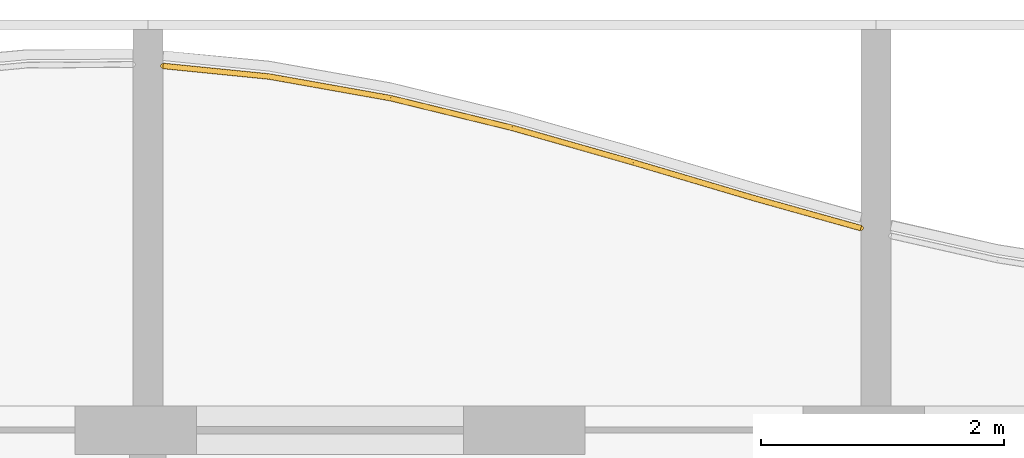
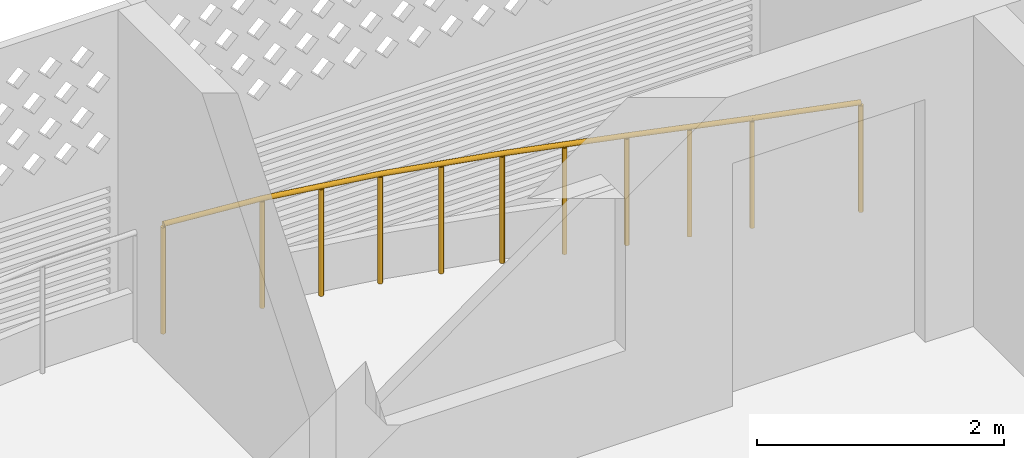
# One storey, part 30 of 33: 1 railing.
"""IFC4 building model written with IfcOpenShell, lengths in metres."""

from ifc_helpers import new_model, si_unit, direction, frame, origin, origin_2d, place, context, subcontext, project, spatial, circle, extrude, material, type_object, element, save


model = new_model("IFC4")

# Units and contexts
model_context = context("Model", 3, precision=1e-05, world=origin(), true_north=direction((0.0, 1.0)))
body_context = subcontext(model_context, "Body", "Model", "MODEL_VIEW")
ifc_project = project(units=[si_unit("LENGTHUNIT", "METRE"), si_unit("AREAUNIT", "SQUARE_METRE"), si_unit("VOLUMEUNIT", "CUBIC_METRE"), si_unit("PLANEANGLEUNIT", "RADIAN"), si_unit("MASSUNIT", "GRAM", prefix="KILO")], contexts=[model_context])

# Site, building, storey
site_placement = place(None, origin())
site = spatial("IfcSite", under=ifc_project, at=site_placement, CompositionType="ELEMENT")
building_placement = place(site_placement, origin())
building = spatial("IfcBuilding", under=site, at=building_placement, Name="Poui Terraces", CompositionType="ELEMENT")
storey_placement = place(building_placement, frame((0.0, 0.0, 132.300048828125)))
storey = spatial("IfcBuildingStorey", under=building, at=storey_placement, Name="L36", CompositionType="ELEMENT", Elevation=132.300048828125)

# Railing
ifc_material = material(Name="Painted steel fretwork", Category="steel")
railing_type = type_object("IfcRailingType", Name="BALCONY GUARD 1100", PredefinedType="GUARDRAIL", material=ifc_material)
railing_placement = place(storey_placement, frame((72.125, 45.4013671875, 0.0)))
element("IfcRailing", 1, at=railing_placement, inside=storey, type_object=railing_type, Name="BALCONY GUARD", PredefinedType="GUARDRAIL", context=body_context, shape_type="SweptSolid", body=[
    extrude(circle(Radius=0.02392578125, at=origin_2d()), frame((0.0, 0.0, 1.076171875), z_axis=(0.995048179628, -0.099393763478, 0.0), x_axis=(0.099393763478, 0.995048179628, 0.0)), (0.0, 0.0, 1.0), 0.87939453125),
    extrude(circle(Radius=0.02392578125, at=origin_2d()), frame((0.875, -0.08740234375, 1.076171875), z_axis=(0.984486939112, -0.175457877332, 0.0), x_axis=(0.175457877332, 0.984486939112, 0.0)), (0.0, 0.0, 1.0), 1.015869140625),
    extrude(circle(Radius=0.02392578125, at=origin_2d()), frame((1.875, -0.265625, 1.076171875), z_axis=(0.971467046504, -0.2371745719, 0.0), x_axis=(0.2371745719, 0.971467046504, 0.0)), (0.0, 0.0, 1.0), 1.029296875),
    extrude(circle(Radius=0.02392578125, at=origin_2d()), frame((2.875, -0.509765625, 1.076171875), z_axis=(0.961665574586, -0.274224949003, 0.0), x_axis=(0.274224949003, 0.961665574586, 0.0)), (0.0, 0.0, 1.0), 1.039794921875),
    extrude(circle(Radius=0.02392578125, at=origin_2d()), frame((3.875, -0.794921875, 1.076171875), z_axis=(0.958774495191, -0.284168026651, 0.0), x_axis=(0.284168026651, 0.958774495191, 0.0)), (0.0, 0.0, 1.0), 1.04296875),
    extrude(circle(Radius=0.02392578125, at=origin_2d()), frame((4.875, -1.09130859375, 1.076171875), z_axis=(0.963000288712, -0.269500359815, 0.0), x_axis=(0.269500359815, 0.963000288712, 0.0)), (0.0, 0.0, 1.0), 0.90869140625),
    extrude(circle(Radius=0.02099609375, at=origin_2d()), origin(), (0.0, 0.0, 1.0), 1.052001953125),
    extrude(circle(Radius=0.02099609375, at=origin_2d()), frame((0.875, -0.08740234375, 0.0)), (0.0, 0.0, 1.0), 1.052001953125),
    extrude(circle(Radius=0.02099609375, at=origin_2d()), frame((1.375, -0.176513671875, 0.0)), (0.0, 0.0, 1.0), 1.052001953125),
    extrude(circle(Radius=0.02099609375, at=origin_2d()), frame((1.875, -0.265625, 0.0)), (0.0, 0.0, 1.0), 1.052001953125),
    extrude(circle(Radius=0.02099609375, at=origin_2d()), frame((2.375, -0.3876953125, 0.0)), (0.0, 0.0, 1.0), 1.052001953125),
    extrude(circle(Radius=0.02099609375, at=origin_2d()), frame((2.875, -0.509765625, 0.0)), (0.0, 0.0, 1.0), 1.052001953125),
    extrude(circle(Radius=0.02099609375, at=origin_2d()), frame((3.375, -0.65234375, 0.0)), (0.0, 0.0, 1.0), 1.052001953125),
    extrude(circle(Radius=0.02099609375, at=origin_2d()), frame((3.875, -0.794921875, 0.0)), (0.0, 0.0, 1.0), 1.052001953125),
    extrude(circle(Radius=0.02099609375, at=origin_2d()), frame((4.375, -0.943115234375, 0.0)), (0.0, 0.0, 1.0), 1.052001953125),
    extrude(circle(Radius=0.02099609375, at=origin_2d()), frame((4.875, -1.09130859375, 0.0)), (0.0, 0.0, 1.0), 1.052001953125),
    extrude(circle(Radius=0.02099609375, at=origin_2d()), frame((5.75, -1.336181640625, 0.0)), (0.0, 0.0, 1.0), 1.052001953125),
])

save(model, "model.ifc")
